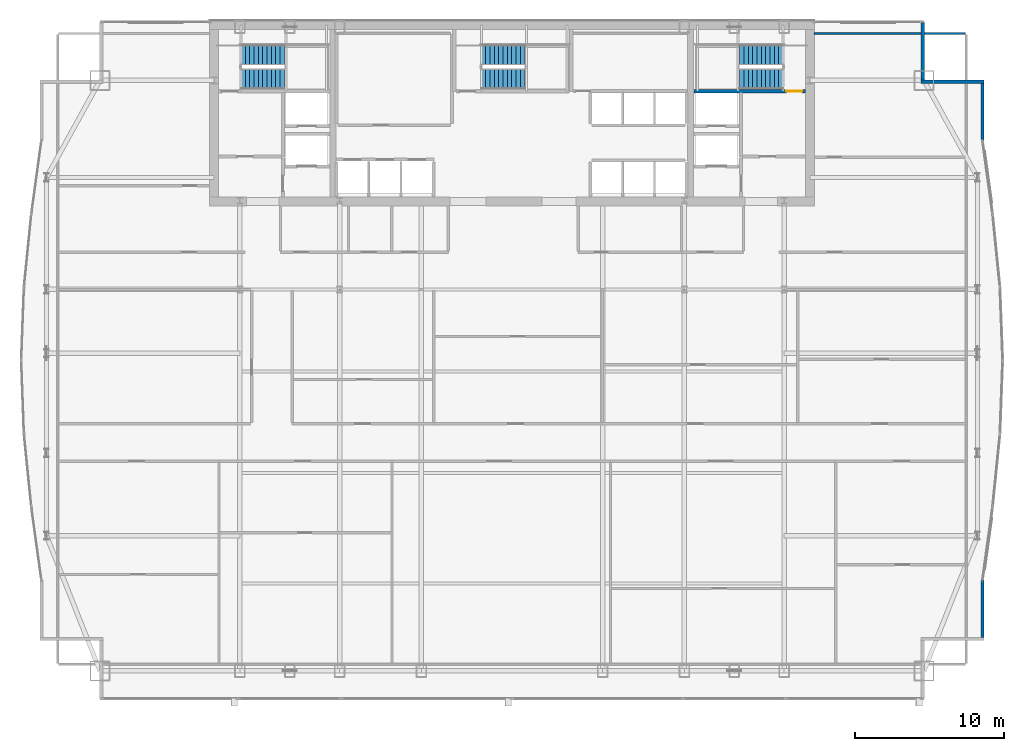
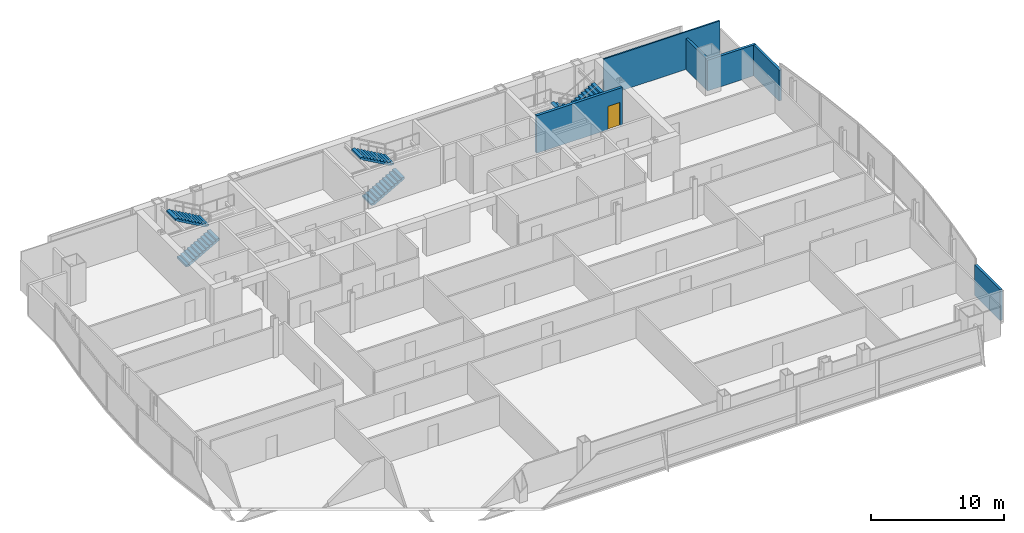
# One storey, part 27 of 29: 6 stair flights, 6 walls, 1 door, 1 opening, 3 elements without a shape of their own.
"""IFC4 building model written with IfcOpenShell, lengths in metres."""

import ifcopenshell
import ifcopenshell.guid

model = None  # the IFC model being written
_history = None  # IfcOwnerHistory: only IFC2X3 demands one
_inside = {}  # id of a spatial element -> (the spatial element, [elements in it])
_under = {}  # id of a project, library or spatial element -> (it, [spatial elements below it])
_declared = {}  # id of a project -> (the project, [libraries it declares])
_typed = {}  # id of a type object -> (the type object, [elements of that type])
_made_of = {}  # id of a material, layer set ... -> (it, [elements and type objects made of it])


def new_model(schema):
    """Start an empty IFC model of exactly this schema.

    Asked for "IFC4X3", IfcOpenShell would pick the latest addendum, in which some entities
    have other attributes; the version numbers below select the first issue.
    IFC2X3 requires an IfcOwnerHistory on every rooted entity: one is made here for all.
    """
    global model, _history
    if schema == "IFC4X3":
        model = ifcopenshell.file(schema_version=(4, 3, 0, 0))
    else:
        model = ifcopenshell.file(schema=schema)
    _inside.clear()
    _under.clear()
    _declared.clear()
    _typed.clear()
    _made_of.clear()
    _history = None
    if model.schema == "IFC2X3":
        org = make("IfcOrganization", Name="unknown")
        user = make(
            "IfcPersonAndOrganization",
            ThePerson=make("IfcPerson", FamilyName="unknown"),
            TheOrganization=org,
        )
        app = make(
            "IfcApplication",
            ApplicationDeveloper=org,
            Version="unknown",
            ApplicationFullName="unknown",
            ApplicationIdentifier="unknown",
        )
        _history = make(
            "IfcOwnerHistory",
            OwningUser=user,
            OwningApplication=app,
            ChangeAction="ADDED",
            CreationDate=0,
        )
    return model


def make(cls, **values):
    """One entity of the class cls with the attributes given. An attribute that is None is left unset."""
    return model.create_entity(
        cls, **{name: value for name, value in values.items() if value is not None}
    )


def rooted(cls, **values):
    """An entity with a GlobalId (a new one), such as an element, a storey or a relation."""
    return make(cls, GlobalId=ifcopenshell.guid.new(), OwnerHistory=_history, **values)


def si_unit(unit_type, name, prefix=None):
    """IfcSIUnit, for example si_unit("LENGTHUNIT", "METRE", prefix="MILLI")."""
    return make("IfcSIUnit", UnitType=unit_type, Prefix=prefix, Name=name)


def assignment(units):
    """IfcUnitAssignment: the units of a project."""
    return None if units is None else make("IfcUnitAssignment", Units=units)


def point(xyz):
    """IfcCartesianPoint."""
    return None if xyz is None else make("IfcCartesianPoint", Coordinates=xyz)


def direction(xyz):
    """IfcDirection."""
    return None if xyz is None else make("IfcDirection", DirectionRatios=xyz)


def frame(location, z_axis=None, x_axis=None):
    """IfcAxis2Placement3D, a coordinate frame: its origin and axes. An axis left out is left unset."""
    return make(
        "IfcAxis2Placement3D",
        Location=point(location),
        Axis=direction(z_axis),
        RefDirection=direction(x_axis),
    )


def frame_2d(location, x_axis=None):
    """IfcAxis2Placement2D, a coordinate frame in the plane: its origin and x axis."""
    return make(
        "IfcAxis2Placement2D", Location=point(location), RefDirection=direction(x_axis)
    )


def origin():
    """The frame at (0, 0, 0) with its axes left unset."""
    return frame((0.0, 0.0, 0.0))


def place(relative_to, where):
    """IfcLocalPlacement: puts the frame where relative to a parent placement (None: the world)."""
    return make(
        "IfcLocalPlacement", PlacementRelTo=relative_to, RelativePlacement=where
    )


def context(
    kind, dimensions, precision=None, world=None, true_north=None, identifier=None
):
    """IfcGeometricRepresentationContext, for example the 3D "Model" context."""
    return make(
        "IfcGeometricRepresentationContext",
        ContextIdentifier=identifier,
        ContextType=kind,
        CoordinateSpaceDimension=dimensions,
        Precision=precision,
        WorldCoordinateSystem=world,
        TrueNorth=true_north,
    )


def subcontext(parent, identifier, kind, view, scale=None):
    """IfcGeometricRepresentationSubContext, for example "Body" below "Model"."""
    return make(
        "IfcGeometricRepresentationSubContext",
        ContextIdentifier=identifier,
        ContextType=kind,
        ParentContext=parent,
        TargetScale=scale,
        TargetView=view,
    )


def project(units=None, contexts=None):
    """IfcProject with its units and contexts."""
    return rooted(
        "IfcProject",
        Name="project",
        RepresentationContexts=contexts,
        UnitsInContext=assignment(units),
    )


def spatial(cls, under=None, at=None, **own):
    """A site, building, storey or space (cls), placed at a placement, below another one or the project."""
    s = rooted(cls, ObjectPlacement=at, **own)
    if under is not None:
        _under.setdefault(under.id(), (under, []))[1].append(s)
    return s


def polyline(points):
    """IfcPolyline through the points."""
    return make("IfcPolyline", Points=[point(p) for p in points])


def profile(cls, at=None, kind="AREA", **sizes):
    """A parametric profile (cls). Its sizes go by their IFC names, for example OverallWidth=200.0."""
    return make(cls, ProfileType=kind, Position=at, **sizes)


def rectangle(**sizes):
    """IfcRectangleProfileDef."""
    return profile("IfcRectangleProfileDef", **sizes)


def outline(outer, holes=None, kind="AREA"):
    """IfcArbitraryClosedProfileDef: a profile drawn as a closed curve; with holes, ...WithVoids."""
    if holes is None:
        return make("IfcArbitraryClosedProfileDef", ProfileType=kind, OuterCurve=outer)
    return make(
        "IfcArbitraryProfileDefWithVoids",
        ProfileType=kind,
        OuterCurve=outer,
        InnerCurves=holes,
    )


def extrude(swept, where, along, depth):
    """IfcExtrudedAreaSolid: the profile swept, set in the frame where, extruded along a direction by depth."""
    return make(
        "IfcExtrudedAreaSolid",
        SweptArea=swept,
        Position=where,
        ExtrudedDirection=direction(along),
        Depth=depth,
    )


def shape(context_of_items, identifier, shape_type, items):
    """IfcShapeRepresentation: the items that make up one representation, for example the "Body"."""
    return make(
        "IfcShapeRepresentation",
        ContextOfItems=context_of_items,
        RepresentationIdentifier=identifier,
        RepresentationType=shape_type,
        Items=items,
    )


def material(Name=None, Category=None):
    """IfcMaterial."""
    return make("IfcMaterial", Name=Name, Category=Category)


def layer(
    of_material, thickness, ventilated=None, Name=None, Category=None, Priority=None
):
    """IfcMaterialLayer: one layer of a wall or slab, of a material (None: an air gap)."""
    return make(
        "IfcMaterialLayer",
        Material=of_material,
        LayerThickness=thickness,
        IsVentilated=ventilated,
        Name=Name,
        Category=Category,
        Priority=Priority,
    )


def layer_set(layers, Name=None):
    """IfcMaterialLayerSet."""
    return make("IfcMaterialLayerSet", MaterialLayers=layers, LayerSetName=Name)


def made_of(thing, what):
    """Note that an element or type object is made of a material, layer set ...; save() writes the relation."""
    if what is not None:
        _made_of.setdefault(what.id(), (what, []))[1].append(thing)
    return thing


def type_object(cls, material=None, **own):
    """A type object (cls), such as IfcWallType, which elements share."""
    return made_of(rooted(cls, **own), material)


def element(
    cls,
    number,
    at=None,
    inside=None,
    cuts=None,
    type_object=None,
    material=None,
    context=None,
    identifier="Body",
    shape_type=None,
    held_by="IfcProductDefinitionShape",
    body=None,
    shapes=None,
    **own,
):
    """One element of the class cls, such as IfcWall. Its Tag is "e" and its number.

    at: its placement. inside: the storey or other place that contains it. cuts: it is an
    opening in that element (IfcRelVoidsElement). A single representation is given by context,
    identifier, shape_type and body (its items); several are given by shapes. held_by: the class
    of the entity that holds the representations. save() writes the other relations.
    """
    e = rooted(cls, Tag="e%d" % number, ObjectPlacement=at, **own)
    if body is not None:
        shapes = [shape(context, identifier, shape_type, body)]
    if shapes is not None:
        e.Representation = make(held_by, Representations=shapes)
    if inside is not None:
        _inside.setdefault(inside.id(), (inside, []))[1].append(e)
    if cuts is not None:
        rooted(
            "IfcRelVoidsElement", RelatingBuildingElement=cuts, RelatedOpeningElement=e
        )
    if type_object is not None:
        _typed.setdefault(type_object.id(), (type_object, []))[1].append(e)
    return made_of(e, material)


def fill(opening, filler):
    """IfcRelFillsElement: the door or window that sits in an opening."""
    return rooted(
        "IfcRelFillsElement",
        RelatingOpeningElement=opening,
        RelatedBuildingElement=filler,
    )


def aggregate(whole, parts):
    """IfcRelAggregates: a whole, such as a stair, and the parts it consists of."""
    return rooted("IfcRelAggregates", RelatingObject=whole, RelatedObjects=parts)


def save(model, path):
    """Write the relations noted so far, then the file.

    IfcRelAggregates (storeys below a building ...), IfcRelContainedInSpatialStructure (elements
    in a storey), IfcRelDefinesByType, IfcRelAssociatesMaterial and IfcRelDeclares: one each for
    every whole, place, type object, material and project.
    """
    for whole, parts in _under.values():
        aggregate(whole, parts)
    for where, things in _inside.values():
        rooted(
            "IfcRelContainedInSpatialStructure",
            RelatedElements=things,
            RelatingStructure=where,
        )
    for kind, things in _typed.values():
        rooted("IfcRelDefinesByType", RelatedObjects=things, RelatingType=kind)
    for what, things in _made_of.values():
        rooted("IfcRelAssociatesMaterial", RelatedObjects=things, RelatingMaterial=what)
    for by, libraries in _declared.values():
        rooted("IfcRelDeclares", RelatingContext=by, RelatedDefinitions=libraries)
    model.write(path)


model = new_model("IFC4")

# Units and contexts
model_context = context("Model", 3, precision=1e-05, world=origin(), true_north=direction((0.0, 1.0)))
body_context = subcontext(model_context, "Body", "Model", "MODEL_VIEW")
ifc_project = project(units=[si_unit("LENGTHUNIT", "METRE"), si_unit("AREAUNIT", "SQUARE_METRE"), si_unit("VOLUMEUNIT", "CUBIC_METRE"), si_unit("PLANEANGLEUNIT", "RADIAN"), si_unit("MASSUNIT", "GRAM", prefix="KILO")], contexts=[model_context])

# Site, building, storey
site_placement = place(None, origin())
site = spatial("IfcSite", under=ifc_project, at=site_placement, CompositionType="ELEMENT")
building_placement = place(site_placement, origin())
building = spatial("IfcBuilding", under=site, at=building_placement, Name="Khoronbel Lancet Exchange", CompositionType="ELEMENT")
storey_placement = place(building_placement, frame((0.0, 0.0, 177.0)))
storey = spatial("IfcBuildingStorey", under=building, at=storey_placement, Name="L44", CompositionType="ELEMENT", Elevation=177.0)

# Walls
ifc_material_1 = material(Name="Precast concrete C40/50", Category="concrete")
ifc_layer_1 = layer(ifc_material_1, 0.25, Name="Precast concrete C40/50")
ifc_layer_set_1 = layer_set([ifc_layer_1], Name="Precast concrete C40/50")
wall_type_1 = type_object("IfcWallType", Name="WL-EXT250", PredefinedType="SOLIDWALL", material=ifc_layer_set_1)
wall_1_placement = place(storey_placement, frame((63.9599609375, 53.6298828125, 0.0), z_axis=(0.0, 0.0, 1.0), x_axis=(0.0, -1.0, 0.0)))
element("IfcWall", 1, at=wall_1_placement, inside=storey, type_object=wall_type_1, Name="Level L44 notched-corner limestone pier 14", PredefinedType="SOLIDWALL", context=body_context, shape_type="SweptSolid", body=[
    extrude(rectangle(XDim=3.909912109375, YDim=0.219970703125, at=frame_2d((1.955078125, 0.0))), origin(), (0.0, 0.0, 1.0), 2.830078125),
])
wall_2_placement = place(storey_placement, frame((63.85009765625, 49.610107421875, 0.0), z_axis=(0.0, 0.0, 1.0), x_axis=(1.0, 0.0, 0.0)))
element("IfcWall", 2, at=wall_2_placement, inside=storey, type_object=wall_type_1, Name="Level L44 notched-corner limestone pier 15", PredefinedType="SOLIDWALL", context=body_context, shape_type="SweptSolid", body=[
    extrude(rectangle(XDim=4.219970703125, YDim=0.219970703125, at=frame_2d((2.10986328125, 0.0))), origin(), (0.0, 0.0, 1.0), 2.830078125),
])
wall_3_placement = place(storey_placement, frame((67.9599609375, 49.5, 0.0), z_axis=(0.0, 0.0, 1.0), x_axis=(0.0, -1.0, 0.0)))
element("IfcWall", 3, at=wall_3_placement, inside=storey, type_object=wall_type_1, Name="Level L44 notched-corner limestone pier 16", PredefinedType="SOLIDWALL", context=body_context, shape_type="SweptSolid", body=[
    extrude(rectangle(XDim=3.826171875, YDim=0.219970703125, at=frame_2d((1.9130859375, 0.0))), origin(), (0.0, 0.0, 1.0), 2.830078125),
])
wall_4_placement = place(storey_placement, frame((67.9599609375, 16.226318359375, 0.0), z_axis=(0.0, 0.0, 1.0), x_axis=(0.0, -1.0, 0.0)))
element("IfcWall", 4, at=wall_4_placement, inside=storey, type_object=wall_type_1, Name="Level L44 notched-corner limestone pier 23", PredefinedType="SOLIDWALL", context=body_context, shape_type="SweptSolid", body=[
    extrude(rectangle(XDim=3.826416015625, YDim=0.219970703125, at=frame_2d((1.9130859375, 0.0))), origin(), (0.0, 0.0, 1.0), 2.830078125),
])
ifc_material_2 = material(Name="Acoustic Metal-Stud & Mineral-Wool Gypsum Partition 120 mm", Category="gypsum")
ifc_layer_2 = layer(ifc_material_2, 0.1201171875, Name="Acoustic Metal-Stud & Mineral-Wool Gypsum Partition 120 mm")
ifc_layer_set_2 = layer_set([ifc_layer_2], Name="Acoustic Metal-Stud & Mineral-Wool Gypsum Partition 120 mm")
wall_type_2 = type_object("IfcWallType", Name="WL-PRT120", PredefinedType="PARTITIONING", material=ifc_layer_set_2)
wall_5_placement = place(storey_placement, frame((56.699951171875, 52.840087890625, 0.0), z_axis=(0.0, 0.0, 1.0), x_axis=(1.0, 0.0, 0.0)))
element("IfcWall", 5, at=wall_5_placement, inside=storey, type_object=wall_type_2, Name="Level L44 interior partition PW-LIN-NE", PredefinedType="PARTITIONING", context=body_context, shape_type="SweptSolid", body=[
    extrude(rectangle(XDim=10.10498046875, YDim=0.1201171875, at=frame_2d((5.052490234375, 0.0))), origin(), (0.0, 0.0, 1.0), 3.43994140625),
])

# Wall, opening, door
ifc_material_3 = material(Name="Concrete C60/75", Category="concrete")
ifc_layer_3 = layer(ifc_material_3, 0.260009765625, Name="Concrete C60/75")
ifc_layer_set_3 = layer_set([ifc_layer_3], Name="Concrete C60/75")
wall_type_3 = type_object("IfcWallType", Name="WL-SW3", PredefinedType="SHEAR", material=ifc_layer_set_3)
wall_6_placement = place(storey_placement, frame((48.6298828125, 48.97998046875, 0.0), z_axis=(0.0, 0.0, 1.0), x_axis=(1.0, 0.0, 0.0)))
wall_6 = element("IfcWall", 6, at=wall_6_placement, inside=storey, type_object=wall_type_3, Name="Level L44 east stairwell structural south wall", PredefinedType="SHEAR", context=body_context, shape_type="SweptSolid", body=[
    extrude(rectangle(XDim=7.47021484375, YDim=0.239990234375, at=frame_2d((3.735107421875, 0.0))), origin(), (0.0, 0.0, 1.0), 3.43994140625),
])
opening_placement = place(wall_6_placement, frame((6.199951171875, 0.0, 0.0)))
opening = element("IfcOpeningElement", 7, at=opening_placement, cuts=wall_6, Name="Opening SD1", PredefinedType="OPENING", context=body_context, shape_type="SweptSolid", body=[
    extrude(rectangle(XDim=1.050048828125, YDim=2.14990234375, at=frame_2d((0.52490234375, 1.074951171875))), frame((0.0, 0.1298828125, 0.0), z_axis=(0.0, -1.0, 0.0), x_axis=(1.0, 0.0, 0.0)), (0.0, 0.0, 1.0), 0.260009765625),
])
ifc_material_4 = material(Name="Fire-Rated Steel Stairwell Door Assembly", Category="steel")
door_type = type_object("IfcDoorType", Name="DR-SD1", OperationType="NOTDEFINED", PredefinedType="DOOR", material=ifc_material_4)
door_placement = place(opening_placement, origin())
door = element("IfcDoor", 8, at=door_placement, inside=storey, type_object=door_type, Name="Protected exit stair ST2 door L44", OperationType="SINGLE_SWING_RIGHT", OverallHeight=2.14990234375, OverallWidth=1.050048828125, PredefinedType="DOOR", context=body_context, shape_type="SweptSolid", body=[
    extrude(rectangle(XDim=1.050048828125, YDim=2.14990234375, at=frame_2d((0.52490234375, 1.074951171875))), frame((0.0, 0.02490234375, 0.0), z_axis=(0.0, -1.0, 0.0), x_axis=(1.0, 0.0, 0.0)), (0.0, 0.0, 1.0), 0.050048828125),
])
fill(opening, door)

# Stair, stair flights
ifc_material_5 = material(Name="Concrete C40/50", Category="concrete")
stair_type = type_object("IfcStairType", Name="STR-CORE150", PredefinedType="HALF_TURN_STAIR", material=ifc_material_5)
stair_1_placement = place(storey_placement, origin())
stair_1 = element("IfcStair", 9, at=stair_1_placement, inside=storey, type_object=stair_type, Name="L44 Protected Exit Stair ST1", PredefinedType="HALF_TURN_STAIR")
stair_flight_type = type_object("IfcStairFlightType", Name="STF-150", PredefinedType="STRAIGHT", material=ifc_material_5)
stair_flight_1_placement = place(storey_placement, frame((18.300048828125, 49.81005859375, 0.0), z_axis=(0.0, 0.0, 1.0), x_axis=(1.0, 0.0, 0.0)))
stair_flight_1 = element("IfcStairFlight", 10, at=stair_flight_1_placement, type_object=stair_flight_type, Name="ST1 flight 1", NumberOfRisers=11, NumberOfTreads=10, PredefinedType="STRAIGHT", RiserHeight=0.163636364, TreadLength=0.29, context=body_context, shape_type="SweptSolid", body=[
    extrude(outline(polyline([(0.0, 0.0), (0.0, 0.16357421875), (0.2900390625, 0.16357421875), (0.2900390625, 0.327392578125), (0.580078125, 0.327392578125), (0.580078125, 0.490966796875), (0.8701171875, 0.490966796875), (0.8701171875, 0.654541015625), (1.159912109375, 0.654541015625), (1.159912109375, 0.818115234375), (1.449951171875, 0.818115234375), (1.449951171875, 0.98193359375), (1.739990234375, 0.98193359375), (1.739990234375, 1.1455078125), (2.030029296875, 1.1455078125), (2.030029296875, 1.30908203125), (2.320068359375, 1.30908203125), (2.320068359375, 1.47265625), (2.610107421875, 1.47265625), (2.610107421875, 1.636474609375), (2.89990234375, 1.636474609375), (2.89990234375, 1.800048828125), (2.89990234375, 1.46435546875), (0.304931640625, 0.0), (0.0, 0.0)])), frame((0.0, 0.68994140625, 0.0), z_axis=(0.0, -1.0, 0.0), x_axis=(1.0, 0.0, 0.0)), (0.0, 0.0, 1.0), 1.3798828125),
])
stair_flight_2_placement = place(storey_placement, frame((21.199951171875, 51.409912109375, 1.800048828125), z_axis=(0.0, 0.0, 1.0), x_axis=(-1.0, 0.0, 0.0)))
stair_flight_2 = element("IfcStairFlight", 11, at=stair_flight_2_placement, type_object=stair_flight_type, Name="ST1 flight 2", NumberOfRisers=11, NumberOfTreads=10, PredefinedType="STRAIGHT", RiserHeight=0.163636364, TreadLength=0.29, context=body_context, shape_type="SweptSolid", body=[
    extrude(outline(polyline([(0.0, 0.0), (0.0, 0.16357421875), (0.2900390625, 0.16357421875), (0.2900390625, 0.327392578125), (0.580078125, 0.327392578125), (0.580078125, 0.490966796875), (0.8701171875, 0.490966796875), (0.8701171875, 0.654541015625), (1.159912109375, 0.654541015625), (1.159912109375, 0.818115234375), (1.449951171875, 0.818115234375), (1.449951171875, 0.98193359375), (1.739990234375, 0.98193359375), (1.739990234375, 1.1455078125), (2.030029296875, 1.1455078125), (2.030029296875, 1.30908203125), (2.320068359375, 1.30908203125), (2.320068359375, 1.47265625), (2.610107421875, 1.47265625), (2.610107421875, 1.636474609375), (2.89990234375, 1.636474609375), (2.89990234375, 1.800048828125), (2.89990234375, 1.46435546875), (0.304931640625, 0.0), (0.0, 0.0)])), frame((0.0, 0.68994140625, 0.0), z_axis=(0.0, -1.0, 0.0), x_axis=(1.0, 0.0, 0.0)), (0.0, 0.0, 1.0), 1.3798828125),
])
aggregate(stair_1, [stair_flight_1, stair_flight_2])

stair_2_placement = place(storey_placement, origin())
stair_2 = element("IfcStair", 12, at=stair_2_placement, inside=storey, type_object=stair_type, Name="L44 Protected Exit Stair ST2", PredefinedType="HALF_TURN_STAIR")
stair_flight_3_placement = place(storey_placement, frame((54.60009765625, 51.409912109375, 0.0), z_axis=(0.0, 0.0, 1.0), x_axis=(-1.0, 0.0, 0.0)))
stair_flight_3 = element("IfcStairFlight", 13, at=stair_flight_3_placement, type_object=stair_flight_type, Name="ST2 flight 1", NumberOfRisers=11, NumberOfTreads=10, PredefinedType="STRAIGHT", RiserHeight=0.163636364, TreadLength=0.29, context=body_context, shape_type="SweptSolid", body=[
    extrude(outline(polyline([(0.0, 0.0), (0.0, 0.16357421875), (0.2900390625, 0.16357421875), (0.2900390625, 0.327392578125), (0.580078125, 0.327392578125), (0.580078125, 0.490966796875), (0.8701171875, 0.490966796875), (0.8701171875, 0.654541015625), (1.159912109375, 0.654541015625), (1.159912109375, 0.818115234375), (1.449951171875, 0.818115234375), (1.449951171875, 0.98193359375), (1.739990234375, 0.98193359375), (1.739990234375, 1.1455078125), (2.030029296875, 1.1455078125), (2.030029296875, 1.30908203125), (2.320068359375, 1.30908203125), (2.320068359375, 1.47265625), (2.610107421875, 1.47265625), (2.610107421875, 1.636474609375), (2.89990234375, 1.636474609375), (2.89990234375, 1.800048828125), (2.89990234375, 1.46435546875), (0.304931640625, 0.0), (0.0, 0.0)])), frame((0.0, 0.68994140625, 0.0), z_axis=(0.0, -1.0, 0.0), x_axis=(1.0, 0.0, 0.0)), (0.0, 0.0, 1.0), 1.3798828125),
])
stair_flight_4_placement = place(storey_placement, frame((51.699951171875, 49.81005859375, 1.800048828125), z_axis=(0.0, 0.0, 1.0), x_axis=(1.0, 0.0, 0.0)))
stair_flight_4 = element("IfcStairFlight", 14, at=stair_flight_4_placement, type_object=stair_flight_type, Name="ST2 flight 2", NumberOfRisers=11, NumberOfTreads=10, PredefinedType="STRAIGHT", RiserHeight=0.163636364, TreadLength=0.29, context=body_context, shape_type="SweptSolid", body=[
    extrude(outline(polyline([(0.0, 0.0), (0.0, 0.16357421875), (0.2900390625, 0.16357421875), (0.2900390625, 0.327392578125), (0.580078125, 0.327392578125), (0.580078125, 0.490966796875), (0.8701171875, 0.490966796875), (0.8701171875, 0.654541015625), (1.159912109375, 0.654541015625), (1.159912109375, 0.818115234375), (1.449951171875, 0.818115234375), (1.449951171875, 0.98193359375), (1.739990234375, 0.98193359375), (1.739990234375, 1.1455078125), (2.030029296875, 1.1455078125), (2.030029296875, 1.30908203125), (2.320068359375, 1.30908203125), (2.320068359375, 1.47265625), (2.610107421875, 1.47265625), (2.610107421875, 1.636474609375), (2.89990234375, 1.636474609375), (2.89990234375, 1.800048828125), (2.89990234375, 1.46435546875), (0.304931640625, 0.0), (0.0, 0.0)])), frame((0.0, 0.68994140625, 0.0), z_axis=(0.0, -1.0, 0.0), x_axis=(1.0, 0.0, 0.0)), (0.0, 0.0, 1.0), 1.3798828125),
])
aggregate(stair_2, [stair_flight_3, stair_flight_4])

stair_3_placement = place(storey_placement, origin())
stair_3 = element("IfcStair", 15, at=stair_3_placement, inside=storey, type_object=stair_type, Name="L44 Protected Exit Stair ST3", PredefinedType="HALF_TURN_STAIR")
stair_flight_5_placement = place(storey_placement, frame((34.39990234375, 49.81005859375, 0.0), z_axis=(0.0, 0.0, 1.0), x_axis=(1.0, 0.0, 0.0)))
stair_flight_5 = element("IfcStairFlight", 16, at=stair_flight_5_placement, type_object=stair_flight_type, Name="ST3 flight 1", NumberOfRisers=11, NumberOfTreads=10, PredefinedType="STRAIGHT", RiserHeight=0.163636364, TreadLength=0.29, context=body_context, shape_type="SweptSolid", body=[
    extrude(outline(polyline([(0.0, 0.0), (0.0, 0.16357421875), (0.2900390625, 0.16357421875), (0.2900390625, 0.327392578125), (0.580078125, 0.327392578125), (0.580078125, 0.490966796875), (0.8701171875, 0.490966796875), (0.8701171875, 0.654541015625), (1.159912109375, 0.654541015625), (1.159912109375, 0.818115234375), (1.449951171875, 0.818115234375), (1.449951171875, 0.98193359375), (1.739990234375, 0.98193359375), (1.739990234375, 1.1455078125), (2.030029296875, 1.1455078125), (2.030029296875, 1.30908203125), (2.320068359375, 1.30908203125), (2.320068359375, 1.47265625), (2.610107421875, 1.47265625), (2.610107421875, 1.636474609375), (2.89990234375, 1.636474609375), (2.89990234375, 1.800048828125), (2.89990234375, 1.46435546875), (0.304931640625, 0.0), (0.0, 0.0)])), frame((0.0, 0.68994140625, 0.0), z_axis=(0.0, -1.0, 0.0), x_axis=(1.0, 0.0, 0.0)), (0.0, 0.0, 1.0), 1.3798828125),
])
stair_flight_6_placement = place(storey_placement, frame((37.300048828125, 51.409912109375, 1.800048828125), z_axis=(0.0, 0.0, 1.0), x_axis=(-1.0, 0.0, 0.0)))
stair_flight_6 = element("IfcStairFlight", 17, at=stair_flight_6_placement, type_object=stair_flight_type, Name="ST3 flight 2", NumberOfRisers=11, NumberOfTreads=10, PredefinedType="STRAIGHT", RiserHeight=0.163636364, TreadLength=0.29, context=body_context, shape_type="SweptSolid", body=[
    extrude(outline(polyline([(0.0, 0.0), (0.0, 0.16357421875), (0.2900390625, 0.16357421875), (0.2900390625, 0.327392578125), (0.580078125, 0.327392578125), (0.580078125, 0.490966796875), (0.8701171875, 0.490966796875), (0.8701171875, 0.654541015625), (1.159912109375, 0.654541015625), (1.159912109375, 0.818115234375), (1.449951171875, 0.818115234375), (1.449951171875, 0.98193359375), (1.739990234375, 0.98193359375), (1.739990234375, 1.1455078125), (2.030029296875, 1.1455078125), (2.030029296875, 1.30908203125), (2.320068359375, 1.30908203125), (2.320068359375, 1.47265625), (2.610107421875, 1.47265625), (2.610107421875, 1.636474609375), (2.89990234375, 1.636474609375), (2.89990234375, 1.800048828125), (2.89990234375, 1.46435546875), (0.304931640625, 0.0), (0.0, 0.0)])), frame((0.0, 0.68994140625, 0.0), z_axis=(0.0, -1.0, 0.0), x_axis=(1.0, 0.0, 0.0)), (0.0, 0.0, 1.0), 1.3798828125),
])
aggregate(stair_3, [stair_flight_5, stair_flight_6])

save(model, "model.ifc")
